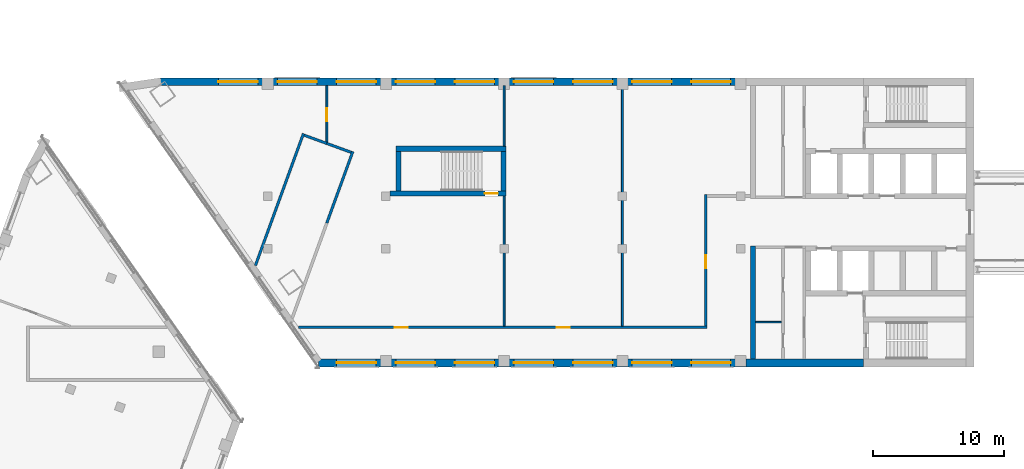
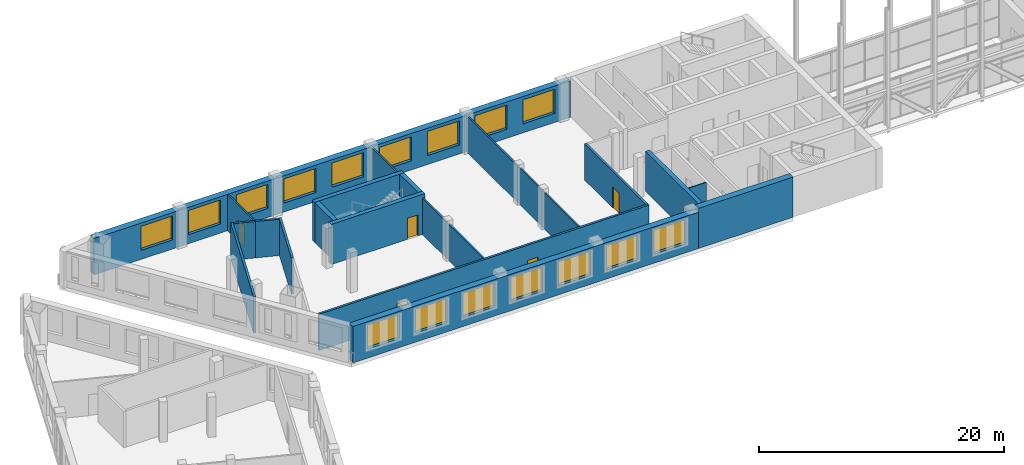
# One storey, part 6 of 11: 19 walls, 16 windows, 5 doors, 21 openings.
"""IFC4 building model written with IfcOpenShell, lengths in metres."""

from ifc_helpers import new_model, si_unit, direction, frame, frame_2d, origin, place, context, subcontext, project, spatial, rectangle, extrude, material, layer, layer_set, type_object, element, fill, save


model = new_model("IFC4")

# Units and contexts
model_context = context("Model", 3, precision=1e-05, world=origin(), true_north=direction((0.0, 1.0)))
body_context = subcontext(model_context, "Body", "Model", "MODEL_VIEW")
ifc_project = project(units=[si_unit("LENGTHUNIT", "METRE"), si_unit("AREAUNIT", "SQUARE_METRE"), si_unit("VOLUMEUNIT", "CUBIC_METRE"), si_unit("PLANEANGLEUNIT", "RADIAN"), si_unit("MASSUNIT", "GRAM", prefix="KILO")], contexts=[model_context])

# Site, building, storey
site_placement = place(None, origin())
site = spatial("IfcSite", under=ifc_project, at=site_placement, CompositionType="ELEMENT")
building_placement = place(site_placement, origin())
building = spatial("IfcBuilding", under=site, at=building_placement, Name="Skarvind Civic Tower", CompositionType="ELEMENT")
storey_placement = place(building_placement, frame((0.0, 0.0, 109.0)))
storey = spatial("IfcBuildingStorey", under=building, at=storey_placement, Name="L25", CompositionType="ELEMENT", Elevation=109.0)

# Walls
ifc_material_1 = material(Name="Fire-rated plasterboard partition")
ifc_layer_1 = layer(ifc_material_1, 0.10009765625)
ifc_layer_set_1 = layer_set([ifc_layer_1], Name="Core partition wall 100")
wall_type_1 = type_object("IfcWallType", Name="Core partition wall 100", PredefinedType="PARTITIONING", material=ifc_layer_set_1)
wall_1_placement = place(storey_placement, frame((93.35009765625, 120.39990234375, 0.0), z_axis=(0.0, 0.0, 1.0), x_axis=(-1.0, 0.0, 0.0)))
element("IfcWall", 1, at=wall_1_placement, inside=storey, type_object=wall_type_1, Name="Core wall C1", PredefinedType="PARTITIONING", context=body_context, shape_type="SweptSolid", body=[
    extrude(rectangle(XDim=1.9501953125, YDim=0.10009765625, at=frame_2d((0.97509765625, 0.0))), origin(), (0.0, 0.0, 1.0), 3.625),
])
ifc_material_2 = material(Name="Concrete C80", Category="concrete")
ifc_layer_2 = layer(ifc_material_2, 0.39990234375)
ifc_layer_set_2 = layer_set([ifc_layer_2], Name="Core wall 400 C80")
wall_type_2 = type_object("IfcWallType", Name="Core wall 400 C80", PredefinedType="SHEAR", material=ifc_layer_set_2)
wall_2_placement = place(storey_placement, frame((91.199951171875, 126.199951171875, 0.0), z_axis=(0.0, 0.0, 1.0), x_axis=(0.0, -1.0, 0.0)))
element("IfcWall", 2, at=wall_2_placement, inside=storey, type_object=wall_type_2, Name="Core wall C1 north inner face L25", PredefinedType="SHEAR", context=body_context, shape_type="SweptSolid", body=[
    extrude(rectangle(XDim=8.599853515625, YDim=0.39990234375, at=frame_2d((4.2998046875, 0.0))), origin(), (0.0, 0.0, 1.0), 4.0),
])

# Wall, opening, door
wall_3_placement = place(storey_placement, frame((63.574951171875, 130.199951171875, 0.0), z_axis=(0.0, 0.0, 1.0), x_axis=(1.0, 0.0, 0.0)))
wall_3 = element("IfcWall", 3, at=wall_3_placement, inside=storey, type_object=wall_type_2, Name="Core wall CM inner L25", PredefinedType="SHEAR", context=body_context, shape_type="SweptSolid", body=[
    extrude(rectangle(XDim=8.824951171875, YDim=0.39990234375, at=frame_2d((4.41259765625, 0.0))), origin(), (0.0, 0.0, 1.0), 4.0),
])
opening_1_placement = place(wall_3_placement, frame((7.199951171875, 0.0, 0.0)))
opening_1 = element("IfcOpeningElement", 4, at=opening_1_placement, cuts=wall_3, Name="Opening D-L25-CM-01", PredefinedType="OPENING", context=body_context, shape_type="SweptSolid", body=[
    extrude(rectangle(XDim=1.0, YDim=2.10009765625, at=frame_2d((0.5, 1.050048828125))), frame((0.0, 0.2099609375, 0.0), z_axis=(0.0, -1.0, 0.0), x_axis=(1.0, 0.0, 0.0)), (0.0, 0.0, 1.0), 0.419921875),
])
ifc_material_3 = material(Name="Fire-rated steel door", Category="steel")
door_type_1 = type_object("IfcDoorType", Name="Fire door 1000", OperationType="NOTDEFINED", PredefinedType="DOOR", material=ifc_material_3)
door_1_placement = place(opening_1_placement, origin())
door_1 = element("IfcDoor", 5, at=door_1_placement, inside=storey, type_object=door_type_1, Name="Fire door", OperationType="SINGLE_SWING_LEFT", OverallHeight=2.10009765625, OverallWidth=1.0, PredefinedType="DOOR", context=body_context, shape_type="SweptSolid", body=[
    extrude(rectangle(XDim=1.0, YDim=2.10009765625, at=frame_2d((0.5, 1.050048828125))), frame((0.0, 0.02490234375, 0.0), z_axis=(0.0, -1.0, 0.0), x_axis=(1.0, 0.0, 0.0)), (0.0, 0.0, 1.0), 0.050048828125),
])
fill(opening_1, door_1)

# Walls
wall_4_placement = place(storey_placement, frame((64.0, 133.60009765625, 0.0), z_axis=(0.0, 0.0, 1.0), x_axis=(1.0, 0.0, 0.0)))
element("IfcWall", 6, at=wall_4_placement, inside=storey, type_object=wall_type_2, Name="Core wall CM outer L25", PredefinedType="SHEAR", context=body_context, shape_type="SweptSolid", body=[
    extrude(rectangle(XDim=8.39990234375, YDim=0.39990234375, at=frame_2d((4.199951171875, 0.0))), origin(), (0.0, 0.0, 1.0), 4.0),
])
for number, where, z_axis, x_axis, name in (
    (7, (64.199951171875, 130.39990234375, 0.0), (0.0, 0.0, 1.0), (0.0, 1.0, 0.0), "Core wall CM west L25"),
    (8, (72.199951171875, 130.39990234375, 0.0), (0.0, 0.0, 1.0), (0.0, 1.0, 0.0), "Core wall CM end L25"),
):
    element("IfcWall", number, at=place(storey_placement, frame(where, z_axis=z_axis, x_axis=x_axis)), inside=storey, type_object=wall_type_2, Name=name, PredefinedType="SHEAR", context=body_context, shape_type="SweptSolid", body=[
        extrude(rectangle(XDim=3.0, YDim=0.39990234375, at=frame_2d((1.5, 0.0))), origin(), (0.0, 0.0, 1.0), 4.0),
    ])
ifc_layer_3 = layer(ifc_material_2, 0.60009765625)
ifc_layer_set_3 = layer_set([ifc_layer_3], Name="Core wall 600 C80")
wall_type_3 = type_object("IfcWallType", Name="Core wall 600 C80", PredefinedType="SHEAR", material=ifc_layer_set_3)
wall_5_placement = place(storey_placement, frame((99.60009765625, 117.300048828125, 0.0), z_axis=(0.0, 0.0, 1.0), x_axis=(-1.0, 0.0, 0.0)))
element("IfcWall", 9, at=wall_5_placement, inside=storey, type_object=wall_type_3, Name="Core wall C1 north side L25", PredefinedType="SHEAR", context=body_context, shape_type="SweptSolid", body=[
    extrude(rectangle(XDim=8.925048828125, YDim=0.60009765625, at=frame_2d((4.46240234375, 0.0))), origin(), (0.0, 0.0, 1.0), 4.0),
])
ifc_material_4 = material(Name="Fire-rated blockwork wall, plastered", Category="masonry")
ifc_layer_4 = layer(ifc_material_4, 0.199951171875)
ifc_layer_set_4 = layer_set([ifc_layer_4], Name="FIRE WALL 200 EI 60")
wall_type_4 = type_object("IfcWallType", Name="FIRE WALL 200 EI 60", PredefinedType="PARTITIONING", material=ifc_layer_set_4)
wall_6_placement = place(storey_placement, frame((53.31396484375, 124.702880859375, 0.0), z_axis=(0.0, 0.0, 1.0), x_axis=(0.341964791562, 0.939712765334, 0.0)))
element("IfcWall", 10, at=wall_6_placement, inside=storey, type_object=wall_type_4, Name="Portal partition L25 011", PredefinedType="PARTITIONING", context=body_context, shape_type="SweptSolid", body=[
    extrude(rectangle(XDim=10.69677734375, YDim=0.199951171875, at=frame_2d((5.348388671875, 0.0))), origin(), (0.0, 0.0, 1.0), 3.625),
])

# Wall, openings, doors
wall_7_placement = place(storey_placement, frame((56.60693359375, 120.0, 0.0), z_axis=(0.0, 0.0, 1.0), x_axis=(1.0, 0.0, 0.0)))
wall_7 = element("IfcWall", 11, at=wall_7_placement, inside=storey, type_object=wall_type_4, Name="Portal partition L25 013", PredefinedType="PARTITIONING", context=body_context, shape_type="SweptSolid", body=[
    extrude(rectangle(XDim=31.093017578125, YDim=0.199951171875, at=frame_2d((15.54638671875, 0.0))), origin(), (0.0, 0.0, 1.0), 3.625),
])
opening_2_placement = place(wall_7_placement, frame((7.323974609375, 0.0, 0.0)))
opening_2 = element("IfcOpeningElement", 12, at=opening_2_placement, cuts=wall_7, Name="Opening L25-D205", PredefinedType="OPENING", context=body_context, shape_type="SweptSolid", body=[
    extrude(rectangle(XDim=1.0, YDim=2.10009765625, at=frame_2d((0.5, 1.050048828125))), frame((0.0, 0.10986328125, 0.0), z_axis=(0.0, -1.0, 0.0), x_axis=(1.0, 0.0, 0.0)), (0.0, 0.0, 1.0), 0.219970703125),
])
opening_3_placement = place(wall_7_placement, frame((19.64306640625, 0.0, 0.0)))
opening_3 = element("IfcOpeningElement", 13, at=opening_3_placement, cuts=wall_7, Name="Opening L25-D206", PredefinedType="OPENING", context=body_context, shape_type="SweptSolid", body=[
    extrude(rectangle(XDim=1.0, YDim=2.10009765625, at=frame_2d((0.5, 1.050048828125))), frame((0.0, 0.10986328125, 0.0), z_axis=(0.0, -1.0, 0.0), x_axis=(1.0, 0.0, 0.0)), (0.0, 0.0, 1.0), 0.219970703125),
])
ifc_material_5 = material(Name="Painted steel fire door leaf", Category="steel")
door_type_2 = type_object("IfcDoorType", Name="FIRE DOOR 1000X2100 STEEL", OperationType="NOTDEFINED", PredefinedType="DOOR", material=ifc_material_5)
door_2_placement = place(opening_2_placement, origin())
door_2 = element("IfcDoor", 14, at=door_2_placement, inside=storey, type_object=door_type_2, Name="FIRE DOOR", OperationType="SINGLE_SWING_LEFT", OverallHeight=2.10009765625, OverallWidth=1.0, PredefinedType="DOOR", context=body_context, shape_type="SweptSolid", body=[
    extrude(rectangle(XDim=1.0, YDim=2.10009765625, at=frame_2d((0.5, 1.050048828125))), frame((0.0, 0.02490234375, 0.0), z_axis=(0.0, -1.0, 0.0), x_axis=(1.0, 0.0, 0.0)), (0.0, 0.0, 1.0), 0.050048828125),
])
fill(opening_2, door_2)
door_3_placement = place(opening_3_placement, origin())
door_3 = element("IfcDoor", 15, at=door_3_placement, inside=storey, type_object=door_type_2, Name="FIRE DOOR", OperationType="SINGLE_SWING_RIGHT", OverallHeight=2.10009765625, OverallWidth=1.0, PredefinedType="DOOR", context=body_context, shape_type="SweptSolid", body=[
    extrude(rectangle(XDim=1.0, YDim=2.10009765625, at=frame_2d((0.5, 1.050048828125))), frame((0.0, 0.02490234375, 0.0), z_axis=(0.0, -1.0, 0.0), x_axis=(1.0, 0.0, 0.0)), (0.0, 0.0, 1.0), 0.050048828125),
])
fill(opening_3, door_3)

# Walls
wall_8_placement = place(storey_placement, frame((57.031982421875, 134.626953125, 0.0), z_axis=(0.0, 0.0, 1.0), x_axis=(0.939746625666, -0.341871729672, 0.0)))
element("IfcWall", 16, at=wall_8_placement, inside=storey, type_object=wall_type_4, Name="Portal partition L25 014", PredefinedType="PARTITIONING", context=body_context, shape_type="SweptSolid", body=[
    extrude(rectangle(XDim=1.828125, YDim=0.199951171875, at=frame_2d((0.9140625, 0.0))), origin(), (0.0, 0.0, 1.0), 3.625),
])
wall_9_placement = place(storey_placement, frame((58.75, 127.944091796875, 0.0), z_axis=(0.0, 0.0, 1.0), x_axis=(0.342007027005, 0.939697394633, 0.0)))
element("IfcWall", 17, at=wall_9_placement, inside=storey, type_object=wall_type_4, Name="Portal partition L25 015", PredefinedType="PARTITIONING", context=body_context, shape_type="SweptSolid", body=[
    extrude(rectangle(XDim=5.792236328125, YDim=0.199951171875, at=frame_2d((2.89599609375, 0.0))), origin(), (0.0, 0.0, 1.0), 3.625),
])
wall_10_placement = place(storey_placement, frame((58.75, 134.001953125, 0.0), z_axis=(0.0, 0.0, 1.0), x_axis=(0.939594471622, -0.342289685643, 0.0)))
element("IfcWall", 18, at=wall_10_placement, inside=storey, type_object=wall_type_4, Name="Portal partition L25 017", PredefinedType="PARTITIONING", context=body_context, shape_type="SweptSolid", body=[
    extrude(rectangle(XDim=1.97216796875, YDim=0.199951171875, at=frame_2d((0.986083984375, 0.0))), origin(), (0.0, 0.0, 1.0), 3.625),
])

# Wall, opening, door
wall_11_placement = place(storey_placement, frame((87.60009765625, 120.10009765625, 0.0), z_axis=(0.0, 0.0, 1.0), x_axis=(0.0, 1.0, 0.0)))
wall_11 = element("IfcWall", 19, at=wall_11_placement, inside=storey, type_object=wall_type_4, Name="Portal partition L25 021", PredefinedType="PARTITIONING", context=body_context, shape_type="SweptSolid", body=[
    extrude(rectangle(XDim=10.0, YDim=0.199951171875, at=frame_2d((5.0, 0.0))), origin(), (0.0, 0.0, 1.0), 3.625),
])
opening_4_placement = place(wall_11_placement, frame((4.39990234375, 0.0, 0.0)))
opening_4 = element("IfcOpeningElement", 20, at=opening_4_placement, cuts=wall_11, Name="Opening L25-D207", PredefinedType="OPENING", context=body_context, shape_type="SweptSolid", body=[
    extrude(rectangle(XDim=1.0, YDim=2.10009765625, at=frame_2d((0.5, 1.050048828125))), frame((0.0, 0.10986328125, 0.0), z_axis=(0.0, -1.0, 0.0), x_axis=(1.0, 0.0, 0.0)), (0.0, 0.0, 1.0), 0.219970703125),
])
door_4_placement = place(opening_4_placement, origin())
door_4 = element("IfcDoor", 21, at=door_4_placement, inside=storey, type_object=door_type_2, Name="FIRE DOOR", OperationType="SINGLE_SWING_LEFT", OverallHeight=2.10009765625, OverallWidth=1.0, PredefinedType="DOOR", context=body_context, shape_type="SweptSolid", body=[
    extrude(rectangle(XDim=1.0, YDim=2.10009765625, at=frame_2d((0.5, 1.050048828125))), frame((0.0, 0.02490234375, 0.0), z_axis=(0.0, -1.0, 0.0), x_axis=(1.0, 0.0, 0.0)), (0.0, 0.0, 1.0), 0.050048828125),
])
fill(opening_4, door_4)

ifc_material_6 = material(Name="Plasterboard partition on steel studs", Category="steel")
ifc_layer_5 = layer(ifc_material_6, 0.14990234375)
ifc_layer_set_5 = layer_set([ifc_layer_5], Name="PARTITION 150")
wall_type_5 = type_object("IfcWallType", Name="PARTITION 150", PredefinedType="PARTITIONING", material=ifc_layer_set_5)
wall_12_placement = place(storey_placement, frame((58.75, 138.39990234375, 0.0), z_axis=(0.0, 0.0, 1.0), x_axis=(0.0, -1.0, 0.0)))
wall_12 = element("IfcWall", 22, at=wall_12_placement, inside=storey, type_object=wall_type_5, Name="Portal partition L25 016", PredefinedType="PARTITIONING", context=body_context, shape_type="SweptSolid", body=[
    extrude(rectangle(XDim=4.2919921875, YDim=0.14990234375, at=frame_2d((2.14599609375, 0.0))), origin(), (0.0, 0.0, 1.0), 3.625),
])
opening_5_placement = place(wall_12_placement, frame((1.698974609375, 0.0, 0.0)))
opening_5 = element("IfcOpeningElement", 23, at=opening_5_placement, cuts=wall_12, Name="Opening L25-D204", PredefinedType="OPENING", context=body_context, shape_type="SweptSolid", body=[
    extrude(rectangle(XDim=1.0, YDim=2.10009765625, at=frame_2d((0.5, 1.050048828125))), frame((0.0, 0.0849609375, 0.0), z_axis=(0.0, -1.0, 0.0), x_axis=(1.0, 0.0, 0.0)), (0.0, 0.0, 1.0), 0.169921875),
])
ifc_material_7 = material(Name="Timber veneer door leaf", Category="wood")
door_type_3 = type_object("IfcDoorType", Name="DOOR 1000X2100 TIMBER", OperationType="NOTDEFINED", PredefinedType="DOOR", material=ifc_material_7)
door_5_placement = place(opening_5_placement, origin())
door_5 = element("IfcDoor", 24, at=door_5_placement, inside=storey, type_object=door_type_3, Name="DOOR DOOR", OperationType="SINGLE_SWING_RIGHT", OverallHeight=2.10009765625, OverallWidth=1.0, PredefinedType="DOOR", context=body_context, shape_type="SweptSolid", body=[
    extrude(rectangle(XDim=1.0, YDim=2.10009765625, at=frame_2d((0.5, 1.050048828125))), frame((0.0, 0.02490234375, 0.0), z_axis=(0.0, -1.0, 0.0), x_axis=(1.0, 0.0, 0.0)), (0.0, 0.0, 1.0), 0.050048828125),
])
fill(opening_5, door_5)

# Walls
wall_13_placement = place(storey_placement, frame((72.25, 120.10009765625, 0.0), z_axis=(0.0, 0.0, 1.0), x_axis=(0.0, 1.0, 0.0)))
element("IfcWall", 25, at=wall_13_placement, inside=storey, type_object=wall_type_5, Name="Portal partition L25 018", PredefinedType="PARTITIONING", context=body_context, shape_type="SweptSolid", body=[
    extrude(rectangle(XDim=9.89990234375, YDim=0.14990234375, at=frame_2d((4.949951171875, 0.0))), origin(), (0.0, 0.0, 1.0), 3.625),
])
wall_14_placement = place(storey_placement, frame((72.25, 133.800048828125, 0.0), z_axis=(0.0, 0.0, 1.0), x_axis=(0.0, 1.0, 0.0)))
element("IfcWall", 26, at=wall_14_placement, inside=storey, type_object=wall_type_5, Name="Portal partition L25 019", PredefinedType="PARTITIONING", context=body_context, shape_type="SweptSolid", body=[
    extrude(rectangle(XDim=4.599853515625, YDim=0.14990234375, at=frame_2d((2.2998046875, 0.0))), origin(), (0.0, 0.0, 1.0), 3.625),
])
wall_15_placement = place(storey_placement, frame((81.25, 120.10009765625, 0.0), z_axis=(0.0, 0.0, 1.0), x_axis=(0.0, 1.0, 0.0)))
element("IfcWall", 27, at=wall_15_placement, inside=storey, type_object=wall_type_5, Name="Portal partition L25 020", PredefinedType="PARTITIONING", context=body_context, shape_type="SweptSolid", body=[
    extrude(rectangle(XDim=18.2998046875, YDim=0.14990234375, at=frame_2d((9.14990234375, 0.0))), origin(), (0.0, 0.0, 1.0), 3.625),
])

# Wall, openings, windows
ifc_material_8 = material(Name="Limestone masonry cladding on insulated backing", Category="masonry")
ifc_layer_6 = layer(ifc_material_8, 0.60009765625)
ifc_layer_set_6 = layer_set([ifc_layer_6], Name="WX1 STONE FACADE WALL 600")
wall_type_6 = type_object("IfcWallType", Name="WX1 STONE FACADE WALL 600", PredefinedType="SOLIDWALL", material=ifc_layer_set_6)
wall_16_placement = place(storey_placement, frame((90.97998046875, 117.300048828125, 0.0), z_axis=(0.0, 0.0, 1.0), x_axis=(-1.0, 0.0, 0.0)))
wall_16 = element("IfcWall", 28, at=wall_16_placement, inside=storey, type_object=wall_type_6, Name="STONE FACADE WALL", PredefinedType="SOLIDWALL", context=body_context, shape_type="SweptSolid", body=[
    extrude(rectangle(XDim=32.844970703125, YDim=0.60009765625, at=frame_2d((16.42236328125, 0.0))), origin(), (0.0, 0.0, 1.0), 3.625),
])
opening_6_placement = place(wall_16_placement, frame((1.47998046875, 0.0, 0.89990234375)))
opening_6 = element("IfcOpeningElement", 29, at=opening_6_placement, cuts=wall_16, Name="Opening WN1", PredefinedType="OPENING", context=body_context, shape_type="SweptSolid", body=[
    extrude(rectangle(XDim=3.0, YDim=2.39990234375, at=frame_2d((1.5, 1.199951171875))), frame((0.0, 0.31005859375, 0.0), z_axis=(0.0, -1.0, 0.0), x_axis=(1.0, 0.0, 0.0)), (0.0, 0.0, 1.0), 0.6201171875),
])
opening_7_placement = place(wall_16_placement, frame((5.97998046875, 0.0, 0.89990234375)))
opening_7 = element("IfcOpeningElement", 30, at=opening_7_placement, cuts=wall_16, Name="Opening WN1", PredefinedType="OPENING", context=body_context, shape_type="SweptSolid", body=[
    extrude(rectangle(XDim=3.0, YDim=2.39990234375, at=frame_2d((1.5, 1.199951171875))), frame((0.0, 0.31005859375, 0.0), z_axis=(0.0, -1.0, 0.0), x_axis=(1.0, 0.0, 0.0)), (0.0, 0.0, 1.0), 0.6201171875),
])
opening_8_placement = place(wall_16_placement, frame((10.47998046875, 0.0, 0.89990234375)))
opening_8 = element("IfcOpeningElement", 31, at=opening_8_placement, cuts=wall_16, Name="Opening WN1", PredefinedType="OPENING", context=body_context, shape_type="SweptSolid", body=[
    extrude(rectangle(XDim=3.0, YDim=2.39990234375, at=frame_2d((1.5, 1.199951171875))), frame((0.0, 0.31005859375, 0.0), z_axis=(0.0, -1.0, 0.0), x_axis=(1.0, 0.0, 0.0)), (0.0, 0.0, 1.0), 0.6201171875),
])
opening_9_placement = place(wall_16_placement, frame((14.97998046875, 0.0, 0.89990234375)))
opening_9 = element("IfcOpeningElement", 32, at=opening_9_placement, cuts=wall_16, Name="Opening WN1", PredefinedType="OPENING", context=body_context, shape_type="SweptSolid", body=[
    extrude(rectangle(XDim=3.0, YDim=2.39990234375, at=frame_2d((1.5, 1.199951171875))), frame((0.0, 0.31005859375, 0.0), z_axis=(0.0, -1.0, 0.0), x_axis=(1.0, 0.0, 0.0)), (0.0, 0.0, 1.0), 0.6201171875),
])
opening_10_placement = place(wall_16_placement, frame((19.47998046875, 0.0, 0.89990234375)))
opening_10 = element("IfcOpeningElement", 33, at=opening_10_placement, cuts=wall_16, Name="Opening WN1", PredefinedType="OPENING", context=body_context, shape_type="SweptSolid", body=[
    extrude(rectangle(XDim=3.0, YDim=2.39990234375, at=frame_2d((1.5, 1.199951171875))), frame((0.0, 0.31005859375, 0.0), z_axis=(0.0, -1.0, 0.0), x_axis=(1.0, 0.0, 0.0)), (0.0, 0.0, 1.0), 0.6201171875),
])
opening_11_placement = place(wall_16_placement, frame((23.97998046875, 0.0, 0.89990234375)))
opening_11 = element("IfcOpeningElement", 34, at=opening_11_placement, cuts=wall_16, Name="Opening WN1", PredefinedType="OPENING", context=body_context, shape_type="SweptSolid", body=[
    extrude(rectangle(XDim=3.0, YDim=2.39990234375, at=frame_2d((1.5, 1.199951171875))), frame((0.0, 0.31005859375, 0.0), z_axis=(0.0, -1.0, 0.0), x_axis=(1.0, 0.0, 0.0)), (0.0, 0.0, 1.0), 0.6201171875),
])
opening_12_placement = place(wall_16_placement, frame((28.47998046875, 0.0, 0.89990234375)))
opening_12 = element("IfcOpeningElement", 35, at=opening_12_placement, cuts=wall_16, Name="Opening WN1", PredefinedType="OPENING", context=body_context, shape_type="SweptSolid", body=[
    extrude(rectangle(XDim=3.0, YDim=2.39990234375, at=frame_2d((1.5, 1.199951171875))), frame((0.0, 0.31005859375, 0.0), z_axis=(0.0, -1.0, 0.0), x_axis=(1.0, 0.0, 0.0)), (0.0, 0.0, 1.0), 0.6201171875),
])
ifc_material_9 = material(Name="Timber frame, double glazing, timber-lined reveal", Category="wood")
window_type = type_object("IfcWindowType", Name="WN1 PUNCHED STONE WINDOW 3000 x 2400", PartitioningType="SINGLE_PANEL", PredefinedType="WINDOW", material=ifc_material_9)
window_1_placement = place(opening_6_placement, origin())
window_1 = element("IfcWindow", 36, at=window_1_placement, inside=storey, type_object=window_type, Name="WN1 WINDOW", OverallHeight=2.39990234375, OverallWidth=3.0, PartitioningType="SINGLE_PANEL", PredefinedType="WINDOW", context=body_context, shape_type="SweptSolid", body=[
    extrude(rectangle(XDim=3.0, YDim=2.39990234375, at=frame_2d((1.5, 1.199951171875))), frame((0.0, 0.030029296875, 0.0), z_axis=(0.0, -1.0, 0.0), x_axis=(1.0, 0.0, 0.0)), (0.0, 0.0, 1.0), 0.06005859375),
])
fill(opening_6, window_1)
window_2_placement = place(opening_7_placement, origin())
window_2 = element("IfcWindow", 37, at=window_2_placement, inside=storey, type_object=window_type, Name="WN1 WINDOW", OverallHeight=2.39990234375, OverallWidth=3.0, PartitioningType="SINGLE_PANEL", PredefinedType="WINDOW", context=body_context, shape_type="SweptSolid", body=[
    extrude(rectangle(XDim=3.0, YDim=2.39990234375, at=frame_2d((1.5, 1.199951171875))), frame((0.0, 0.030029296875, 0.0), z_axis=(0.0, -1.0, 0.0), x_axis=(1.0, 0.0, 0.0)), (0.0, 0.0, 1.0), 0.06005859375),
])
fill(opening_7, window_2)
window_3_placement = place(opening_8_placement, origin())
window_3 = element("IfcWindow", 38, at=window_3_placement, inside=storey, type_object=window_type, Name="WN1 WINDOW", OverallHeight=2.39990234375, OverallWidth=3.0, PartitioningType="SINGLE_PANEL", PredefinedType="WINDOW", context=body_context, shape_type="SweptSolid", body=[
    extrude(rectangle(XDim=3.0, YDim=2.39990234375, at=frame_2d((1.5, 1.199951171875))), frame((0.0, 0.030029296875, 0.0), z_axis=(0.0, -1.0, 0.0), x_axis=(1.0, 0.0, 0.0)), (0.0, 0.0, 1.0), 0.06005859375),
])
fill(opening_8, window_3)
window_4_placement = place(opening_9_placement, origin())
window_4 = element("IfcWindow", 39, at=window_4_placement, inside=storey, type_object=window_type, Name="WN1 WINDOW", OverallHeight=2.39990234375, OverallWidth=3.0, PartitioningType="SINGLE_PANEL", PredefinedType="WINDOW", context=body_context, shape_type="SweptSolid", body=[
    extrude(rectangle(XDim=3.0, YDim=2.39990234375, at=frame_2d((1.5, 1.199951171875))), frame((0.0, 0.030029296875, 0.0), z_axis=(0.0, -1.0, 0.0), x_axis=(1.0, 0.0, 0.0)), (0.0, 0.0, 1.0), 0.06005859375),
])
fill(opening_9, window_4)
window_5_placement = place(opening_10_placement, origin())
window_5 = element("IfcWindow", 40, at=window_5_placement, inside=storey, type_object=window_type, Name="WN1 WINDOW", OverallHeight=2.39990234375, OverallWidth=3.0, PartitioningType="SINGLE_PANEL", PredefinedType="WINDOW", context=body_context, shape_type="SweptSolid", body=[
    extrude(rectangle(XDim=3.0, YDim=2.39990234375, at=frame_2d((1.5, 1.199951171875))), frame((0.0, 0.030029296875, 0.0), z_axis=(0.0, -1.0, 0.0), x_axis=(1.0, 0.0, 0.0)), (0.0, 0.0, 1.0), 0.06005859375),
])
fill(opening_10, window_5)
window_6_placement = place(opening_11_placement, origin())
window_6 = element("IfcWindow", 41, at=window_6_placement, inside=storey, type_object=window_type, Name="WN1 WINDOW", OverallHeight=2.39990234375, OverallWidth=3.0, PartitioningType="SINGLE_PANEL", PredefinedType="WINDOW", context=body_context, shape_type="SweptSolid", body=[
    extrude(rectangle(XDim=3.0, YDim=2.39990234375, at=frame_2d((1.5, 1.199951171875))), frame((0.0, 0.030029296875, 0.0), z_axis=(0.0, -1.0, 0.0), x_axis=(1.0, 0.0, 0.0)), (0.0, 0.0, 1.0), 0.06005859375),
])
fill(opening_11, window_6)
window_7_placement = place(opening_12_placement, origin())
window_7 = element("IfcWindow", 42, at=window_7_placement, inside=storey, type_object=window_type, Name="WN1 WINDOW", OverallHeight=2.39990234375, OverallWidth=3.0, PartitioningType="SINGLE_PANEL", PredefinedType="WINDOW", context=body_context, shape_type="SweptSolid", body=[
    extrude(rectangle(XDim=3.0, YDim=2.39990234375, at=frame_2d((1.5, 1.199951171875))), frame((0.0, 0.030029296875, 0.0), z_axis=(0.0, -1.0, 0.0), x_axis=(1.0, 0.0, 0.0)), (0.0, 0.0, 1.0), 0.06005859375),
])
fill(opening_12, window_7)

wall_17_placement = place(storey_placement, frame((46.095458984375, 138.699951171875, 0.0), z_axis=(0.0, 0.0, 1.0), x_axis=(1.0, 0.0, 0.0)))
wall_17 = element("IfcWall", 43, at=wall_17_placement, inside=storey, type_object=wall_type_6, Name="STONE FACADE WALL", PredefinedType="SOLIDWALL", context=body_context, shape_type="SweptSolid", body=[
    extrude(rectangle(XDim=44.884521484375, YDim=0.60009765625, at=frame_2d((22.4423828125, 0.0))), origin(), (0.0, 0.0, 1.0), 3.625),
])
opening_13_placement = place(wall_17_placement, frame((4.404541015625, 0.0, 0.89990234375)))
opening_13 = element("IfcOpeningElement", 44, at=opening_13_placement, cuts=wall_17, Name="Opening WN1", PredefinedType="OPENING", context=body_context, shape_type="SweptSolid", body=[
    extrude(rectangle(XDim=3.0, YDim=2.39990234375, at=frame_2d((1.5, 1.199951171875))), frame((0.0, 0.31005859375, 0.0), z_axis=(0.0, -1.0, 0.0), x_axis=(1.0, 0.0, 0.0)), (0.0, 0.0, 1.0), 0.6201171875),
])
opening_14_placement = place(wall_17_placement, frame((8.904541015625, 0.0, 0.89990234375)))
opening_14 = element("IfcOpeningElement", 45, at=opening_14_placement, cuts=wall_17, Name="Opening WN1", PredefinedType="OPENING", context=body_context, shape_type="SweptSolid", body=[
    extrude(rectangle(XDim=3.0, YDim=2.39990234375, at=frame_2d((1.5, 1.199951171875))), frame((0.0, 0.31005859375, 0.0), z_axis=(0.0, -1.0, 0.0), x_axis=(1.0, 0.0, 0.0)), (0.0, 0.0, 1.0), 0.6201171875),
])
opening_15_placement = place(wall_17_placement, frame((13.404541015625, 0.0, 0.89990234375)))
opening_15 = element("IfcOpeningElement", 46, at=opening_15_placement, cuts=wall_17, Name="Opening WN1", PredefinedType="OPENING", context=body_context, shape_type="SweptSolid", body=[
    extrude(rectangle(XDim=3.0, YDim=2.39990234375, at=frame_2d((1.5, 1.199951171875))), frame((0.0, 0.31005859375, 0.0), z_axis=(0.0, -1.0, 0.0), x_axis=(1.0, 0.0, 0.0)), (0.0, 0.0, 1.0), 0.6201171875),
])
opening_16_placement = place(wall_17_placement, frame((17.904541015625, 0.0, 0.89990234375)))
opening_16 = element("IfcOpeningElement", 47, at=opening_16_placement, cuts=wall_17, Name="Opening WN1", PredefinedType="OPENING", context=body_context, shape_type="SweptSolid", body=[
    extrude(rectangle(XDim=3.0, YDim=2.39990234375, at=frame_2d((1.5, 1.199951171875))), frame((0.0, 0.31005859375, 0.0), z_axis=(0.0, -1.0, 0.0), x_axis=(1.0, 0.0, 0.0)), (0.0, 0.0, 1.0), 0.6201171875),
])
opening_17_placement = place(wall_17_placement, frame((22.404541015625, 0.0, 0.89990234375)))
opening_17 = element("IfcOpeningElement", 48, at=opening_17_placement, cuts=wall_17, Name="Opening WN1", PredefinedType="OPENING", context=body_context, shape_type="SweptSolid", body=[
    extrude(rectangle(XDim=3.0, YDim=2.39990234375, at=frame_2d((1.5, 1.199951171875))), frame((0.0, 0.31005859375, 0.0), z_axis=(0.0, -1.0, 0.0), x_axis=(1.0, 0.0, 0.0)), (0.0, 0.0, 1.0), 0.6201171875),
])
opening_18_placement = place(wall_17_placement, frame((26.904541015625, 0.0, 0.89990234375)))
opening_18 = element("IfcOpeningElement", 49, at=opening_18_placement, cuts=wall_17, Name="Opening WN1", PredefinedType="OPENING", context=body_context, shape_type="SweptSolid", body=[
    extrude(rectangle(XDim=3.0, YDim=2.39990234375, at=frame_2d((1.5, 1.199951171875))), frame((0.0, 0.31005859375, 0.0), z_axis=(0.0, -1.0, 0.0), x_axis=(1.0, 0.0, 0.0)), (0.0, 0.0, 1.0), 0.6201171875),
])
opening_19_placement = place(wall_17_placement, frame((31.404541015625, 0.0, 0.89990234375)))
opening_19 = element("IfcOpeningElement", 50, at=opening_19_placement, cuts=wall_17, Name="Opening WN1", PredefinedType="OPENING", context=body_context, shape_type="SweptSolid", body=[
    extrude(rectangle(XDim=3.0, YDim=2.39990234375, at=frame_2d((1.5, 1.199951171875))), frame((0.0, 0.31005859375, 0.0), z_axis=(0.0, -1.0, 0.0), x_axis=(1.0, 0.0, 0.0)), (0.0, 0.0, 1.0), 0.6201171875),
])
opening_20_placement = place(wall_17_placement, frame((35.904541015625, 0.0, 0.89990234375)))
opening_20 = element("IfcOpeningElement", 51, at=opening_20_placement, cuts=wall_17, Name="Opening WN1", PredefinedType="OPENING", context=body_context, shape_type="SweptSolid", body=[
    extrude(rectangle(XDim=3.0, YDim=2.39990234375, at=frame_2d((1.5, 1.199951171875))), frame((0.0, 0.31005859375, 0.0), z_axis=(0.0, -1.0, 0.0), x_axis=(1.0, 0.0, 0.0)), (0.0, 0.0, 1.0), 0.6201171875),
])
opening_21_placement = place(wall_17_placement, frame((40.404541015625, 0.0, 0.89990234375)))
opening_21 = element("IfcOpeningElement", 52, at=opening_21_placement, cuts=wall_17, Name="Opening WN1", PredefinedType="OPENING", context=body_context, shape_type="SweptSolid", body=[
    extrude(rectangle(XDim=3.0, YDim=2.39990234375, at=frame_2d((1.5, 1.199951171875))), frame((0.0, 0.31005859375, 0.0), z_axis=(0.0, -1.0, 0.0), x_axis=(1.0, 0.0, 0.0)), (0.0, 0.0, 1.0), 0.6201171875),
])
window_8_placement = place(opening_13_placement, origin())
window_8 = element("IfcWindow", 53, at=window_8_placement, inside=storey, type_object=window_type, Name="WN1 WINDOW", OverallHeight=2.39990234375, OverallWidth=3.0, PartitioningType="SINGLE_PANEL", PredefinedType="WINDOW", context=body_context, shape_type="SweptSolid", body=[
    extrude(rectangle(XDim=3.0, YDim=2.39990234375, at=frame_2d((1.5, 1.199951171875))), frame((0.0, 0.030029296875, 0.0), z_axis=(0.0, -1.0, 0.0), x_axis=(1.0, 0.0, 0.0)), (0.0, 0.0, 1.0), 0.06005859375),
])
fill(opening_13, window_8)
window_9_placement = place(opening_14_placement, origin())
window_9 = element("IfcWindow", 54, at=window_9_placement, inside=storey, type_object=window_type, Name="WN1 WINDOW", OverallHeight=2.39990234375, OverallWidth=3.0, PartitioningType="SINGLE_PANEL", PredefinedType="WINDOW", context=body_context, shape_type="SweptSolid", body=[
    extrude(rectangle(XDim=3.0, YDim=2.39990234375, at=frame_2d((1.5, 1.199951171875))), frame((0.0, 0.030029296875, 0.0), z_axis=(0.0, -1.0, 0.0), x_axis=(1.0, 0.0, 0.0)), (0.0, 0.0, 1.0), 0.06005859375),
])
fill(opening_14, window_9)
window_10_placement = place(opening_15_placement, origin())
window_10 = element("IfcWindow", 55, at=window_10_placement, inside=storey, type_object=window_type, Name="WN1 WINDOW", OverallHeight=2.39990234375, OverallWidth=3.0, PartitioningType="SINGLE_PANEL", PredefinedType="WINDOW", context=body_context, shape_type="SweptSolid", body=[
    extrude(rectangle(XDim=3.0, YDim=2.39990234375, at=frame_2d((1.5, 1.199951171875))), frame((0.0, 0.030029296875, 0.0), z_axis=(0.0, -1.0, 0.0), x_axis=(1.0, 0.0, 0.0)), (0.0, 0.0, 1.0), 0.06005859375),
])
fill(opening_15, window_10)
window_11_placement = place(opening_16_placement, origin())
window_11 = element("IfcWindow", 56, at=window_11_placement, inside=storey, type_object=window_type, Name="WN1 WINDOW", OverallHeight=2.39990234375, OverallWidth=3.0, PartitioningType="SINGLE_PANEL", PredefinedType="WINDOW", context=body_context, shape_type="SweptSolid", body=[
    extrude(rectangle(XDim=3.0, YDim=2.39990234375, at=frame_2d((1.5, 1.199951171875))), frame((0.0, 0.030029296875, 0.0), z_axis=(0.0, -1.0, 0.0), x_axis=(1.0, 0.0, 0.0)), (0.0, 0.0, 1.0), 0.06005859375),
])
fill(opening_16, window_11)
window_12_placement = place(opening_17_placement, origin())
window_12 = element("IfcWindow", 57, at=window_12_placement, inside=storey, type_object=window_type, Name="WN1 WINDOW", OverallHeight=2.39990234375, OverallWidth=3.0, PartitioningType="SINGLE_PANEL", PredefinedType="WINDOW", context=body_context, shape_type="SweptSolid", body=[
    extrude(rectangle(XDim=3.0, YDim=2.39990234375, at=frame_2d((1.5, 1.199951171875))), frame((0.0, 0.030029296875, 0.0), z_axis=(0.0, -1.0, 0.0), x_axis=(1.0, 0.0, 0.0)), (0.0, 0.0, 1.0), 0.06005859375),
])
fill(opening_17, window_12)
window_13_placement = place(opening_18_placement, origin())
window_13 = element("IfcWindow", 58, at=window_13_placement, inside=storey, type_object=window_type, Name="WN1 WINDOW", OverallHeight=2.39990234375, OverallWidth=3.0, PartitioningType="SINGLE_PANEL", PredefinedType="WINDOW", context=body_context, shape_type="SweptSolid", body=[
    extrude(rectangle(XDim=3.0, YDim=2.39990234375, at=frame_2d((1.5, 1.199951171875))), frame((0.0, 0.030029296875, 0.0), z_axis=(0.0, -1.0, 0.0), x_axis=(1.0, 0.0, 0.0)), (0.0, 0.0, 1.0), 0.06005859375),
])
fill(opening_18, window_13)
window_14_placement = place(opening_19_placement, origin())
window_14 = element("IfcWindow", 59, at=window_14_placement, inside=storey, type_object=window_type, Name="WN1 WINDOW", OverallHeight=2.39990234375, OverallWidth=3.0, PartitioningType="SINGLE_PANEL", PredefinedType="WINDOW", context=body_context, shape_type="SweptSolid", body=[
    extrude(rectangle(XDim=3.0, YDim=2.39990234375, at=frame_2d((1.5, 1.199951171875))), frame((0.0, 0.030029296875, 0.0), z_axis=(0.0, -1.0, 0.0), x_axis=(1.0, 0.0, 0.0)), (0.0, 0.0, 1.0), 0.06005859375),
])
fill(opening_19, window_14)
window_15_placement = place(opening_20_placement, origin())
window_15 = element("IfcWindow", 60, at=window_15_placement, inside=storey, type_object=window_type, Name="WN1 WINDOW", OverallHeight=2.39990234375, OverallWidth=3.0, PartitioningType="SINGLE_PANEL", PredefinedType="WINDOW", context=body_context, shape_type="SweptSolid", body=[
    extrude(rectangle(XDim=3.0, YDim=2.39990234375, at=frame_2d((1.5, 1.199951171875))), frame((0.0, 0.030029296875, 0.0), z_axis=(0.0, -1.0, 0.0), x_axis=(1.0, 0.0, 0.0)), (0.0, 0.0, 1.0), 0.06005859375),
])
fill(opening_20, window_15)
window_16_placement = place(opening_21_placement, origin())
window_16 = element("IfcWindow", 61, at=window_16_placement, inside=storey, type_object=window_type, Name="WN1 WINDOW", OverallHeight=2.39990234375, OverallWidth=3.0, PartitioningType="SINGLE_PANEL", PredefinedType="WINDOW", context=body_context, shape_type="SweptSolid", body=[
    extrude(rectangle(XDim=3.0, YDim=2.39990234375, at=frame_2d((1.5, 1.199951171875))), frame((0.0, 0.030029296875, 0.0), z_axis=(0.0, -1.0, 0.0), x_axis=(1.0, 0.0, 0.0)), (0.0, 0.0, 1.0), 0.06005859375),
])
fill(opening_21, window_16)

save(model, "model.ifc")
